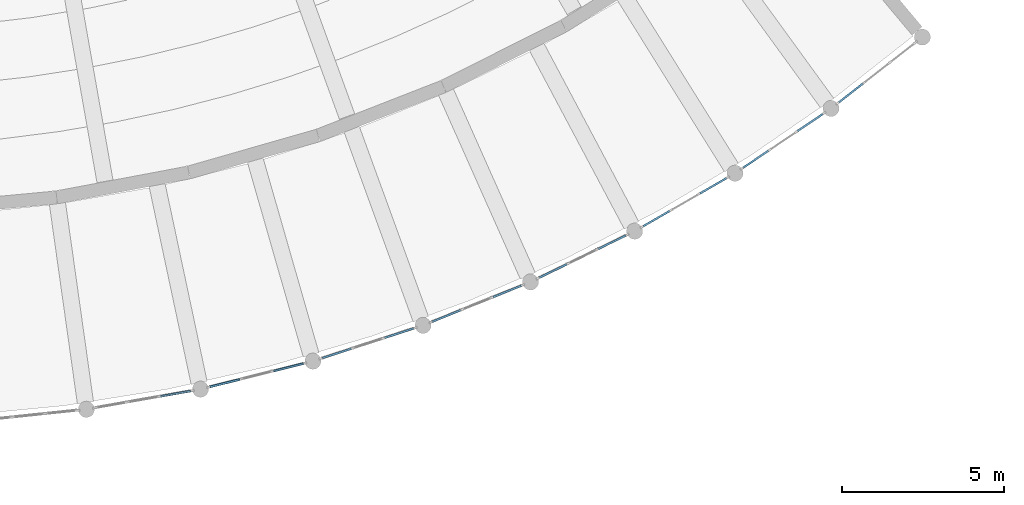
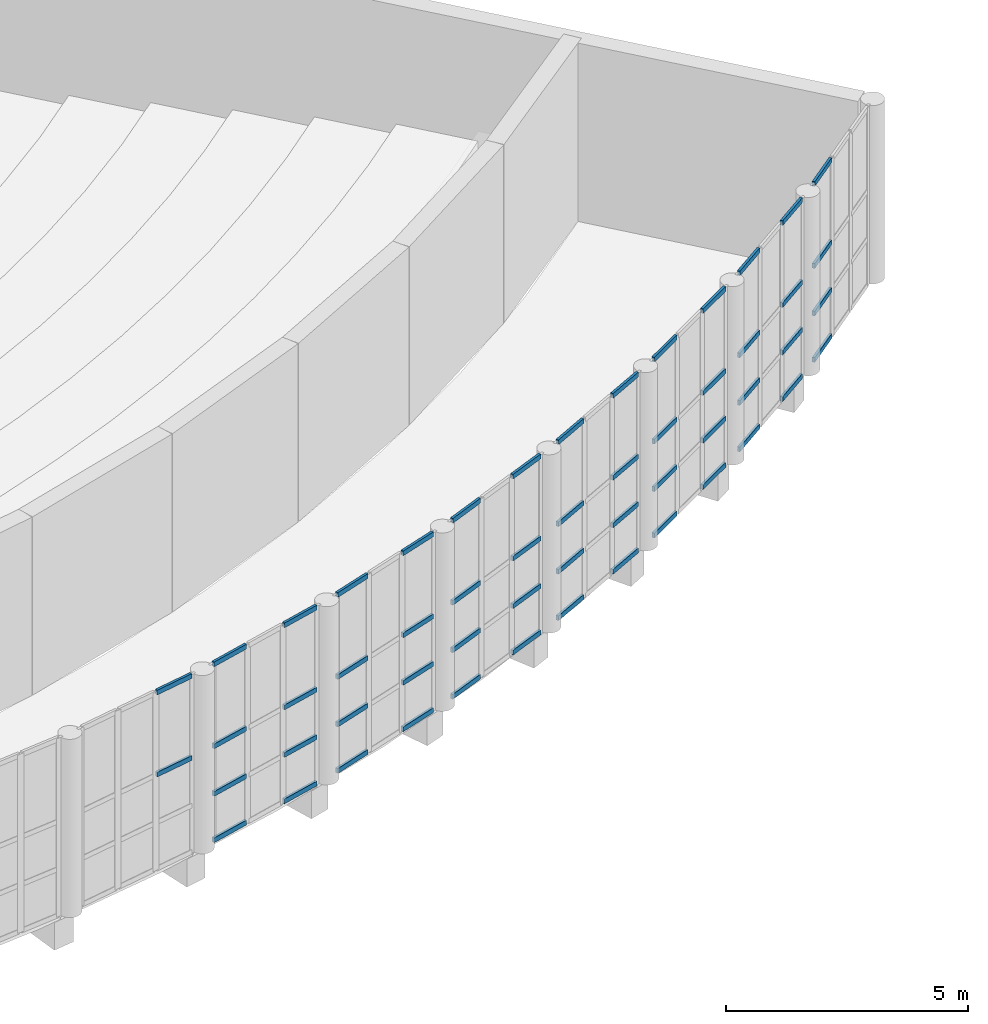
# One storey, part 60 of 162: 54 members, 8 elements without a shape of their own.
"""IFC4 building model written with IfcOpenShell, lengths in metres."""

from ifc_helpers import new_model, si_unit, direction, frame, origin, origin_2d, place, context, subcontext, project, spatial, rectangle, extrude, material, layer, layer_set, material_profile, profile_set, type_object, element, aggregate, save


model = new_model("IFC4")

# Units and contexts
model_context = context("Model", 3, precision=1e-05, world=origin(), true_north=direction((0.0, 1.0)))
body_context = subcontext(model_context, "Body", "Model", "MODEL_VIEW")
ifc_project = project(units=[si_unit("LENGTHUNIT", "METRE"), si_unit("AREAUNIT", "SQUARE_METRE"), si_unit("VOLUMEUNIT", "CUBIC_METRE"), si_unit("PLANEANGLEUNIT", "RADIAN"), si_unit("MASSUNIT", "GRAM", prefix="KILO")], contexts=[model_context])

# Site, building, storey
site_placement = place(None, origin())
site = spatial("IfcSite", under=ifc_project, at=site_placement, CompositionType="ELEMENT")
building_placement = place(site_placement, origin())
building = spatial("IfcBuilding", under=site, at=building_placement, Name="Rain Tree Exposition and Congress Centre", CompositionType="ELEMENT")
storey_placement = place(building_placement, frame((0.0, 0.0, 6.0)))
storey = spatial("IfcBuildingStorey", under=building, at=storey_placement, Name="L01", CompositionType="ELEMENT", Elevation=6.0)

# Curtain wall, members
ifc_material_1 = material(Name="Aluminium", Category="aluminium")
ifc_layer = layer(ifc_material_1, 0.10009765625)
ifc_layer_set = layer_set([ifc_layer], Name="Aluminium")
curtain_wall_type = type_object("IfcCurtainWallType", Name="Curtain wall congress", PredefinedType="NOTDEFINED", material=ifc_layer_set)
curtain_wall_1_placement = place(storey_placement, origin())
curtain_wall_1 = element("IfcCurtainWall", 1, at=curtain_wall_1_placement, inside=storey, type_object=curtain_wall_type, Name="Curtain wall L01 bay 13", PredefinedType="NOTDEFINED")
ifc_material_2 = material(Name="Aluminium", Category="aluminium")
ifc_material_profile = material_profile(ifc_material_2, rectangle(XDim=0.06005859375, YDim=0.1201171875, at=origin_2d()), Name="AL 60x120")
ifc_profile_set = profile_set([ifc_material_profile], Name="Aluminium")
member_type = type_object("IfcMemberType", Name="Curtain wall transom 60x120 congress", PredefinedType="USERDEFINED", material=ifc_profile_set)
member_1_placement = place(storey_placement, frame((211.01953125, 16.902587890625, 2.39990234375), z_axis=(0.984788819169, 0.173755522618, 0.0), x_axis=(-0.173755522618, 0.984788819169, 0.0)))
member_1 = element("IfcMember", 2, at=member_1_placement, type_object=member_type, Name="CWG213 transom 3.3", ObjectType="TRANSOM", PredefinedType="USERDEFINED", context=body_context, shape_type="SweptSolid", body=[
    extrude(rectangle(XDim=0.06005859375, YDim=0.1201171875, at=origin_2d()), origin(), (0.0, 0.0, 1.0), 0.934326171875),
])
member_2_placement = place(storey_placement, frame((211.01953125, 16.902587890625, 4.469970703125), z_axis=(0.984788819169, 0.173755522618, 0.0), x_axis=(-0.173755522618, 0.984788819169, 0.0)))
member_2 = element("IfcMember", 3, at=member_2_placement, type_object=member_type, Name="CWG213 transom 3.4", ObjectType="TRANSOM", PredefinedType="USERDEFINED", context=body_context, shape_type="SweptSolid", body=[
    extrude(rectangle(XDim=0.06005859375, YDim=0.1201171875, at=origin_2d()), origin(), (0.0, 0.0, 1.0), 0.934326171875),
])
aggregate(curtain_wall_1, [member_1, member_2])

curtain_wall_2_placement = place(storey_placement, origin())
curtain_wall_2 = element("IfcCurtainWall", 4, at=curtain_wall_2_placement, inside=storey, type_object=curtain_wall_type, Name="Curtain wall L01 bay 14", PredefinedType="NOTDEFINED")
member_3_placement = place(storey_placement, frame((212.5458984375, 17.19384765625, 0.030029296875), z_axis=(0.970295984, 0.241920861923, 0.0), x_axis=(-0.241920861923, 0.970295984, 0.0)))
member_3 = element("IfcMember", 5, at=member_3_placement, type_object=member_type, Name="CWG214 transom 1.1", ObjectType="TRANSOM", PredefinedType="USERDEFINED", context=body_context, shape_type="SweptSolid", body=[
    extrude(rectangle(XDim=0.06005859375, YDim=0.1201171875, at=origin_2d()), origin(), (0.0, 0.0, 1.0), 0.9345703125),
])
member_4_placement = place(storey_placement, frame((212.5458984375, 17.19384765625, 1.199951171875), z_axis=(0.970295984, 0.241920861923, 0.0), x_axis=(-0.241920861923, 0.970295984, 0.0)))
member_4 = element("IfcMember", 6, at=member_4_placement, type_object=member_type, Name="CWG214 transom 1.2", ObjectType="TRANSOM", PredefinedType="USERDEFINED", context=body_context, shape_type="SweptSolid", body=[
    extrude(rectangle(XDim=0.06005859375, YDim=0.1201171875, at=origin_2d()), origin(), (0.0, 0.0, 1.0), 0.9345703125),
])
member_5_placement = place(storey_placement, frame((212.5458984375, 17.19384765625, 2.39990234375), z_axis=(0.970295984, 0.241920861923, 0.0), x_axis=(-0.241920861923, 0.970295984, 0.0)))
member_5 = element("IfcMember", 7, at=member_5_placement, type_object=member_type, Name="CWG214 transom 1.3", ObjectType="TRANSOM", PredefinedType="USERDEFINED", context=body_context, shape_type="SweptSolid", body=[
    extrude(rectangle(XDim=0.06005859375, YDim=0.1201171875, at=origin_2d()), origin(), (0.0, 0.0, 1.0), 0.9345703125),
])
member_6_placement = place(storey_placement, frame((212.5458984375, 17.19384765625, 4.469970703125), z_axis=(0.970295984, 0.241920861923, 0.0), x_axis=(-0.241920861923, 0.970295984, 0.0)))
member_6 = element("IfcMember", 8, at=member_6_placement, type_object=member_type, Name="CWG214 transom 1.4", ObjectType="TRANSOM", PredefinedType="USERDEFINED", context=body_context, shape_type="SweptSolid", body=[
    extrude(rectangle(XDim=0.06005859375, YDim=0.1201171875, at=origin_2d()), origin(), (0.0, 0.0, 1.0), 0.9345703125),
])
member_7_placement = place(storey_placement, frame((214.505126953125, 17.682373046875, 0.030029296875), z_axis=(0.970295984, 0.241920861923, 0.0), x_axis=(-0.241920861923, 0.970295984, 0.0)))
member_7 = element("IfcMember", 9, at=member_7_placement, type_object=member_type, Name="CWG214 transom 3.1", ObjectType="TRANSOM", PredefinedType="USERDEFINED", context=body_context, shape_type="SweptSolid", body=[
    extrude(rectangle(XDim=0.06005859375, YDim=0.1201171875, at=origin_2d()), origin(), (0.0, 0.0, 1.0), 0.9345703125),
])
member_8_placement = place(storey_placement, frame((214.505126953125, 17.682373046875, 1.199951171875), z_axis=(0.970295984, 0.241920861923, 0.0), x_axis=(-0.241920861923, 0.970295984, 0.0)))
member_8 = element("IfcMember", 10, at=member_8_placement, type_object=member_type, Name="CWG214 transom 3.2", ObjectType="TRANSOM", PredefinedType="USERDEFINED", context=body_context, shape_type="SweptSolid", body=[
    extrude(rectangle(XDim=0.06005859375, YDim=0.1201171875, at=origin_2d()), origin(), (0.0, 0.0, 1.0), 0.9345703125),
])
member_9_placement = place(storey_placement, frame((214.505126953125, 17.682373046875, 2.39990234375), z_axis=(0.970295984, 0.241920861923, 0.0), x_axis=(-0.241920861923, 0.970295984, 0.0)))
member_9 = element("IfcMember", 11, at=member_9_placement, type_object=member_type, Name="CWG214 transom 3.3", ObjectType="TRANSOM", PredefinedType="USERDEFINED", context=body_context, shape_type="SweptSolid", body=[
    extrude(rectangle(XDim=0.06005859375, YDim=0.1201171875, at=origin_2d()), origin(), (0.0, 0.0, 1.0), 0.9345703125),
])
member_10_placement = place(storey_placement, frame((214.505126953125, 17.682373046875, 4.469970703125), z_axis=(0.970295984, 0.241920861923, 0.0), x_axis=(-0.241920861923, 0.970295984, 0.0)))
member_10 = element("IfcMember", 12, at=member_10_placement, type_object=member_type, Name="CWG214 transom 3.4", ObjectType="TRANSOM", PredefinedType="USERDEFINED", context=body_context, shape_type="SweptSolid", body=[
    extrude(rectangle(XDim=0.06005859375, YDim=0.1201171875, at=origin_2d()), origin(), (0.0, 0.0, 1.0), 0.9345703125),
])
aggregate(curtain_wall_2, [member_3, member_4, member_5, member_6, member_7, member_8, member_9, member_10])

curtain_wall_3_placement = place(storey_placement, origin())
curtain_wall_3 = element("IfcCurtainWall", 13, at=curtain_wall_3_placement, inside=storey, type_object=curtain_wall_type, Name="Curtain wall L01 bay 15", PredefinedType="NOTDEFINED")
member_11_placement = place(storey_placement, frame((216.007568359375, 18.079345703125, 0.030029296875), z_axis=(0.951110847155, 0.308849731137, 0.0), x_axis=(-0.308849731137, 0.951110847155, 0.0)))
member_11 = element("IfcMember", 14, at=member_11_placement, type_object=member_type, Name="CWG215 transom 1.1", ObjectType="TRANSOM", PredefinedType="USERDEFINED", context=body_context, shape_type="SweptSolid", body=[
    extrude(rectangle(XDim=0.06005859375, YDim=0.1201171875, at=origin_2d()), origin(), (0.0, 0.0, 1.0), 0.934326171875),
])
member_12_placement = place(storey_placement, frame((216.007568359375, 18.079345703125, 1.199951171875), z_axis=(0.951110847155, 0.308849731137, 0.0), x_axis=(-0.308849731137, 0.951110847155, 0.0)))
member_12 = element("IfcMember", 15, at=member_12_placement, type_object=member_type, Name="CWG215 transom 1.2", ObjectType="TRANSOM", PredefinedType="USERDEFINED", context=body_context, shape_type="SweptSolid", body=[
    extrude(rectangle(XDim=0.06005859375, YDim=0.1201171875, at=origin_2d()), origin(), (0.0, 0.0, 1.0), 0.934326171875),
])
member_13_placement = place(storey_placement, frame((216.007568359375, 18.079345703125, 2.39990234375), z_axis=(0.951110847155, 0.308849731137, 0.0), x_axis=(-0.308849731137, 0.951110847155, 0.0)))
member_13 = element("IfcMember", 16, at=member_13_placement, type_object=member_type, Name="CWG215 transom 1.3", ObjectType="TRANSOM", PredefinedType="USERDEFINED", context=body_context, shape_type="SweptSolid", body=[
    extrude(rectangle(XDim=0.06005859375, YDim=0.1201171875, at=origin_2d()), origin(), (0.0, 0.0, 1.0), 0.934326171875),
])
member_14_placement = place(storey_placement, frame((216.007568359375, 18.079345703125, 4.469970703125), z_axis=(0.951110847155, 0.308849731137, 0.0), x_axis=(-0.308849731137, 0.951110847155, 0.0)))
member_14 = element("IfcMember", 17, at=member_14_placement, type_object=member_type, Name="CWG215 transom 1.4", ObjectType="TRANSOM", PredefinedType="USERDEFINED", context=body_context, shape_type="SweptSolid", body=[
    extrude(rectangle(XDim=0.06005859375, YDim=0.1201171875, at=origin_2d()), origin(), (0.0, 0.0, 1.0), 0.934326171875),
])
member_15_placement = place(storey_placement, frame((217.927734375, 18.703125, 0.030029296875), z_axis=(0.951059019947, 0.309009288821, 0.0), x_axis=(-0.309009288821, 0.951059019947, 0.0)))
member_15 = element("IfcMember", 18, at=member_15_placement, type_object=member_type, Name="CWG215 transom 3.1", ObjectType="TRANSOM", PredefinedType="USERDEFINED", context=body_context, shape_type="SweptSolid", body=[
    extrude(rectangle(XDim=0.06005859375, YDim=0.1201171875, at=origin_2d()), origin(), (0.0, 0.0, 1.0), 0.9345703125),
])
member_16_placement = place(storey_placement, frame((217.927734375, 18.703125, 1.199951171875), z_axis=(0.951059019947, 0.309009288821, 0.0), x_axis=(-0.309009288821, 0.951059019947, 0.0)))
member_16 = element("IfcMember", 19, at=member_16_placement, type_object=member_type, Name="CWG215 transom 3.2", ObjectType="TRANSOM", PredefinedType="USERDEFINED", context=body_context, shape_type="SweptSolid", body=[
    extrude(rectangle(XDim=0.06005859375, YDim=0.1201171875, at=origin_2d()), origin(), (0.0, 0.0, 1.0), 0.9345703125),
])
member_17_placement = place(storey_placement, frame((217.927734375, 18.703125, 2.39990234375), z_axis=(0.951059019947, 0.309009288821, 0.0), x_axis=(-0.309009288821, 0.951059019947, 0.0)))
member_17 = element("IfcMember", 20, at=member_17_placement, type_object=member_type, Name="CWG215 transom 3.3", ObjectType="TRANSOM", PredefinedType="USERDEFINED", context=body_context, shape_type="SweptSolid", body=[
    extrude(rectangle(XDim=0.06005859375, YDim=0.1201171875, at=origin_2d()), origin(), (0.0, 0.0, 1.0), 0.9345703125),
])
member_18_placement = place(storey_placement, frame((217.927734375, 18.703125, 4.469970703125), z_axis=(0.951059019947, 0.309009288821, 0.0), x_axis=(-0.309009288821, 0.951059019947, 0.0)))
member_18 = element("IfcMember", 21, at=member_18_placement, type_object=member_type, Name="CWG215 transom 3.4", ObjectType="TRANSOM", PredefinedType="USERDEFINED", context=body_context, shape_type="SweptSolid", body=[
    extrude(rectangle(XDim=0.06005859375, YDim=0.1201171875, at=origin_2d()), origin(), (0.0, 0.0, 1.0), 0.9345703125),
])
aggregate(curtain_wall_3, [member_11, member_12, member_13, member_14, member_15, member_16, member_17, member_18])

curtain_wall_4_placement = place(storey_placement, origin())
curtain_wall_4 = element("IfcCurtainWall", 22, at=curtain_wall_4_placement, inside=storey, type_object=curtain_wall_type, Name="Curtain wall L01 bay 16", PredefinedType="NOTDEFINED")
member_19_placement = place(storey_placement, frame((219.39892578125, 19.203857421875, 0.030029296875), z_axis=(0.927173788996, 0.374631505613, 0.0), x_axis=(-0.374631505613, 0.927173788996, 0.0)))
member_19 = element("IfcMember", 23, at=member_19_placement, type_object=member_type, Name="CWG216 transom 1.1", ObjectType="TRANSOM", PredefinedType="USERDEFINED", context=body_context, shape_type="SweptSolid", body=[
    extrude(rectangle(XDim=0.06005859375, YDim=0.1201171875, at=origin_2d()), origin(), (0.0, 0.0, 1.0), 0.9345703125),
])
member_20_placement = place(storey_placement, frame((219.39892578125, 19.203857421875, 1.199951171875), z_axis=(0.927173788996, 0.374631505613, 0.0), x_axis=(-0.374631505613, 0.927173788996, 0.0)))
member_20 = element("IfcMember", 24, at=member_20_placement, type_object=member_type, Name="CWG216 transom 1.2", ObjectType="TRANSOM", PredefinedType="USERDEFINED", context=body_context, shape_type="SweptSolid", body=[
    extrude(rectangle(XDim=0.06005859375, YDim=0.1201171875, at=origin_2d()), origin(), (0.0, 0.0, 1.0), 0.9345703125),
])
member_21_placement = place(storey_placement, frame((219.39892578125, 19.203857421875, 2.39990234375), z_axis=(0.927173788996, 0.374631505613, 0.0), x_axis=(-0.374631505613, 0.927173788996, 0.0)))
member_21 = element("IfcMember", 25, at=member_21_placement, type_object=member_type, Name="CWG216 transom 1.3", ObjectType="TRANSOM", PredefinedType="USERDEFINED", context=body_context, shape_type="SweptSolid", body=[
    extrude(rectangle(XDim=0.06005859375, YDim=0.1201171875, at=origin_2d()), origin(), (0.0, 0.0, 1.0), 0.9345703125),
])
member_22_placement = place(storey_placement, frame((219.39892578125, 19.203857421875, 4.469970703125), z_axis=(0.927173788996, 0.374631505613, 0.0), x_axis=(-0.374631505613, 0.927173788996, 0.0)))
member_22 = element("IfcMember", 26, at=member_22_placement, type_object=member_type, Name="CWG216 transom 1.4", ObjectType="TRANSOM", PredefinedType="USERDEFINED", context=body_context, shape_type="SweptSolid", body=[
    extrude(rectangle(XDim=0.06005859375, YDim=0.1201171875, at=origin_2d()), origin(), (0.0, 0.0, 1.0), 0.9345703125),
])
member_23_placement = place(storey_placement, frame((221.27099609375, 19.960205078125, 0.030029296875), z_axis=(0.927173788996, 0.374631505613, 0.0), x_axis=(-0.374631505613, 0.927173788996, 0.0)))
member_23 = element("IfcMember", 27, at=member_23_placement, type_object=member_type, Name="CWG216 transom 3.1", ObjectType="TRANSOM", PredefinedType="USERDEFINED", context=body_context, shape_type="SweptSolid", body=[
    extrude(rectangle(XDim=0.06005859375, YDim=0.1201171875, at=origin_2d()), origin(), (0.0, 0.0, 1.0), 0.9345703125),
])
member_24_placement = place(storey_placement, frame((221.27099609375, 19.960205078125, 1.199951171875), z_axis=(0.927173788996, 0.374631505613, 0.0), x_axis=(-0.374631505613, 0.927173788996, 0.0)))
member_24 = element("IfcMember", 28, at=member_24_placement, type_object=member_type, Name="CWG216 transom 3.2", ObjectType="TRANSOM", PredefinedType="USERDEFINED", context=body_context, shape_type="SweptSolid", body=[
    extrude(rectangle(XDim=0.06005859375, YDim=0.1201171875, at=origin_2d()), origin(), (0.0, 0.0, 1.0), 0.9345703125),
])
member_25_placement = place(storey_placement, frame((221.27099609375, 19.960205078125, 2.39990234375), z_axis=(0.927173788996, 0.374631505613, 0.0), x_axis=(-0.374631505613, 0.927173788996, 0.0)))
member_25 = element("IfcMember", 29, at=member_25_placement, type_object=member_type, Name="CWG216 transom 3.3", ObjectType="TRANSOM", PredefinedType="USERDEFINED", context=body_context, shape_type="SweptSolid", body=[
    extrude(rectangle(XDim=0.06005859375, YDim=0.1201171875, at=origin_2d()), origin(), (0.0, 0.0, 1.0), 0.9345703125),
])
member_26_placement = place(storey_placement, frame((221.27099609375, 19.960205078125, 4.469970703125), z_axis=(0.927173788996, 0.374631505613, 0.0), x_axis=(-0.374631505613, 0.927173788996, 0.0)))
member_26 = element("IfcMember", 30, at=member_26_placement, type_object=member_type, Name="CWG216 transom 3.4", ObjectType="TRANSOM", PredefinedType="USERDEFINED", context=body_context, shape_type="SweptSolid", body=[
    extrude(rectangle(XDim=0.06005859375, YDim=0.1201171875, at=origin_2d()), origin(), (0.0, 0.0, 1.0), 0.9345703125),
])
aggregate(curtain_wall_4, [member_19, member_20, member_21, member_22, member_23, member_24, member_25, member_26])

curtain_wall_5_placement = place(storey_placement, origin())
curtain_wall_5 = element("IfcCurtainWall", 31, at=curtain_wall_5_placement, inside=storey, type_object=curtain_wall_type, Name="Curtain wall L01 bay 17", PredefinedType="NOTDEFINED")
member_27_placement = place(storey_placement, frame((222.70361328125, 20.5625, 0.030029296875), z_axis=(0.89877346762, 0.438413336821, 0.0), x_axis=(-0.438413336821, 0.89877346762, 0.0)))
member_27 = element("IfcMember", 32, at=member_27_placement, type_object=member_type, Name="CWG217 transom 1.1", ObjectType="TRANSOM", PredefinedType="USERDEFINED", context=body_context, shape_type="SweptSolid", body=[
    extrude(rectangle(XDim=0.06005859375, YDim=0.1201171875, at=origin_2d()), origin(), (0.0, 0.0, 1.0), 0.934326171875),
])
member_28_placement = place(storey_placement, frame((222.70361328125, 20.5625, 1.199951171875), z_axis=(0.89877346762, 0.438413336821, 0.0), x_axis=(-0.438413336821, 0.89877346762, 0.0)))
member_28 = element("IfcMember", 33, at=member_28_placement, type_object=member_type, Name="CWG217 transom 1.2", ObjectType="TRANSOM", PredefinedType="USERDEFINED", context=body_context, shape_type="SweptSolid", body=[
    extrude(rectangle(XDim=0.06005859375, YDim=0.1201171875, at=origin_2d()), origin(), (0.0, 0.0, 1.0), 0.934326171875),
])
member_29_placement = place(storey_placement, frame((222.70361328125, 20.5625, 2.39990234375), z_axis=(0.89877346762, 0.438413336821, 0.0), x_axis=(-0.438413336821, 0.89877346762, 0.0)))
member_29 = element("IfcMember", 34, at=member_29_placement, type_object=member_type, Name="CWG217 transom 1.3", ObjectType="TRANSOM", PredefinedType="USERDEFINED", context=body_context, shape_type="SweptSolid", body=[
    extrude(rectangle(XDim=0.06005859375, YDim=0.1201171875, at=origin_2d()), origin(), (0.0, 0.0, 1.0), 0.934326171875),
])
member_30_placement = place(storey_placement, frame((222.70361328125, 20.5625, 4.469970703125), z_axis=(0.89877346762, 0.438413336821, 0.0), x_axis=(-0.438413336821, 0.89877346762, 0.0)))
member_30 = element("IfcMember", 35, at=member_30_placement, type_object=member_type, Name="CWG217 transom 1.4", ObjectType="TRANSOM", PredefinedType="USERDEFINED", context=body_context, shape_type="SweptSolid", body=[
    extrude(rectangle(XDim=0.06005859375, YDim=0.1201171875, at=origin_2d()), origin(), (0.0, 0.0, 1.0), 0.934326171875),
])
member_31_placement = place(storey_placement, frame((224.518310546875, 21.447509765625, 0.030029296875), z_axis=(0.89877346762, 0.438413336821, 0.0), x_axis=(-0.438413336821, 0.89877346762, 0.0)))
member_31 = element("IfcMember", 36, at=member_31_placement, type_object=member_type, Name="CWG217 transom 3.1", ObjectType="TRANSOM", PredefinedType="USERDEFINED", context=body_context, shape_type="SweptSolid", body=[
    extrude(rectangle(XDim=0.06005859375, YDim=0.1201171875, at=origin_2d()), origin(), (0.0, 0.0, 1.0), 0.934326171875),
])
member_32_placement = place(storey_placement, frame((224.518310546875, 21.447509765625, 1.199951171875), z_axis=(0.89877346762, 0.438413336821, 0.0), x_axis=(-0.438413336821, 0.89877346762, 0.0)))
member_32 = element("IfcMember", 37, at=member_32_placement, type_object=member_type, Name="CWG217 transom 3.2", ObjectType="TRANSOM", PredefinedType="USERDEFINED", context=body_context, shape_type="SweptSolid", body=[
    extrude(rectangle(XDim=0.06005859375, YDim=0.1201171875, at=origin_2d()), origin(), (0.0, 0.0, 1.0), 0.934326171875),
])
member_33_placement = place(storey_placement, frame((224.518310546875, 21.447509765625, 2.39990234375), z_axis=(0.89877346762, 0.438413336821, 0.0), x_axis=(-0.438413336821, 0.89877346762, 0.0)))
member_33 = element("IfcMember", 38, at=member_33_placement, type_object=member_type, Name="CWG217 transom 3.3", ObjectType="TRANSOM", PredefinedType="USERDEFINED", context=body_context, shape_type="SweptSolid", body=[
    extrude(rectangle(XDim=0.06005859375, YDim=0.1201171875, at=origin_2d()), origin(), (0.0, 0.0, 1.0), 0.934326171875),
])
member_34_placement = place(storey_placement, frame((224.518310546875, 21.447509765625, 4.469970703125), z_axis=(0.89877346762, 0.438413336821, 0.0), x_axis=(-0.438413336821, 0.89877346762, 0.0)))
member_34 = element("IfcMember", 39, at=member_34_placement, type_object=member_type, Name="CWG217 transom 3.4", ObjectType="TRANSOM", PredefinedType="USERDEFINED", context=body_context, shape_type="SweptSolid", body=[
    extrude(rectangle(XDim=0.06005859375, YDim=0.1201171875, at=origin_2d()), origin(), (0.0, 0.0, 1.0), 0.934326171875),
])
aggregate(curtain_wall_5, [member_27, member_28, member_29, member_30, member_31, member_32, member_33, member_34])

curtain_wall_6_placement = place(storey_placement, origin())
curtain_wall_6 = element("IfcCurtainWall", 40, at=curtain_wall_6_placement, inside=storey, type_object=curtain_wall_type, Name="Curtain wall L01 bay 18", PredefinedType="NOTDEFINED")
member_35_placement = place(storey_placement, frame((225.905517578125, 22.148193359375, 0.030029296875), z_axis=(0.866015917575, 0.500016430238, 0.0), x_axis=(-0.500016430238, 0.866015917575, 0.0)))
member_35 = element("IfcMember", 41, at=member_35_placement, type_object=member_type, Name="CWG218 transom 1.1", ObjectType="TRANSOM", PredefinedType="USERDEFINED", context=body_context, shape_type="SweptSolid", body=[
    extrude(rectangle(XDim=0.06005859375, YDim=0.1201171875, at=origin_2d()), origin(), (0.0, 0.0, 1.0), 0.9345703125),
])
member_36_placement = place(storey_placement, frame((225.905517578125, 22.148193359375, 1.199951171875), z_axis=(0.866015917575, 0.500016430238, 0.0), x_axis=(-0.500016430238, 0.866015917575, 0.0)))
member_36 = element("IfcMember", 42, at=member_36_placement, type_object=member_type, Name="CWG218 transom 1.2", ObjectType="TRANSOM", PredefinedType="USERDEFINED", context=body_context, shape_type="SweptSolid", body=[
    extrude(rectangle(XDim=0.06005859375, YDim=0.1201171875, at=origin_2d()), origin(), (0.0, 0.0, 1.0), 0.9345703125),
])
member_37_placement = place(storey_placement, frame((225.905517578125, 22.148193359375, 2.39990234375), z_axis=(0.866015917575, 0.500016430238, 0.0), x_axis=(-0.500016430238, 0.866015917575, 0.0)))
member_37 = element("IfcMember", 43, at=member_37_placement, type_object=member_type, Name="CWG218 transom 1.3", ObjectType="TRANSOM", PredefinedType="USERDEFINED", context=body_context, shape_type="SweptSolid", body=[
    extrude(rectangle(XDim=0.06005859375, YDim=0.1201171875, at=origin_2d()), origin(), (0.0, 0.0, 1.0), 0.9345703125),
])
member_38_placement = place(storey_placement, frame((225.905517578125, 22.148193359375, 4.469970703125), z_axis=(0.866015917575, 0.500016430238, 0.0), x_axis=(-0.500016430238, 0.866015917575, 0.0)))
member_38 = element("IfcMember", 44, at=member_38_placement, type_object=member_type, Name="CWG218 transom 1.4", ObjectType="TRANSOM", PredefinedType="USERDEFINED", context=body_context, shape_type="SweptSolid", body=[
    extrude(rectangle(XDim=0.06005859375, YDim=0.1201171875, at=origin_2d()), origin(), (0.0, 0.0, 1.0), 0.9345703125),
])
member_39_placement = place(storey_placement, frame((227.654052734375, 23.15771484375, 0.030029296875), z_axis=(0.866015917575, 0.500016430238, 0.0), x_axis=(-0.500016430238, 0.866015917575, 0.0)))
member_39 = element("IfcMember", 45, at=member_39_placement, type_object=member_type, Name="CWG218 transom 3.1", ObjectType="TRANSOM", PredefinedType="USERDEFINED", context=body_context, shape_type="SweptSolid", body=[
    extrude(rectangle(XDim=0.06005859375, YDim=0.1201171875, at=origin_2d()), origin(), (0.0, 0.0, 1.0), 0.9345703125),
])
member_40_placement = place(storey_placement, frame((227.654052734375, 23.15771484375, 1.199951171875), z_axis=(0.866015917575, 0.500016430238, 0.0), x_axis=(-0.500016430238, 0.866015917575, 0.0)))
member_40 = element("IfcMember", 46, at=member_40_placement, type_object=member_type, Name="CWG218 transom 3.2", ObjectType="TRANSOM", PredefinedType="USERDEFINED", context=body_context, shape_type="SweptSolid", body=[
    extrude(rectangle(XDim=0.06005859375, YDim=0.1201171875, at=origin_2d()), origin(), (0.0, 0.0, 1.0), 0.9345703125),
])
member_41_placement = place(storey_placement, frame((227.654052734375, 23.15771484375, 2.39990234375), z_axis=(0.866015917575, 0.500016430238, 0.0), x_axis=(-0.500016430238, 0.866015917575, 0.0)))
member_41 = element("IfcMember", 47, at=member_41_placement, type_object=member_type, Name="CWG218 transom 3.3", ObjectType="TRANSOM", PredefinedType="USERDEFINED", context=body_context, shape_type="SweptSolid", body=[
    extrude(rectangle(XDim=0.06005859375, YDim=0.1201171875, at=origin_2d()), origin(), (0.0, 0.0, 1.0), 0.9345703125),
])
member_42_placement = place(storey_placement, frame((227.654052734375, 23.15771484375, 4.469970703125), z_axis=(0.866015917575, 0.500016430238, 0.0), x_axis=(-0.500016430238, 0.866015917575, 0.0)))
member_42 = element("IfcMember", 48, at=member_42_placement, type_object=member_type, Name="CWG218 transom 3.4", ObjectType="TRANSOM", PredefinedType="USERDEFINED", context=body_context, shape_type="SweptSolid", body=[
    extrude(rectangle(XDim=0.06005859375, YDim=0.1201171875, at=origin_2d()), origin(), (0.0, 0.0, 1.0), 0.9345703125),
])
aggregate(curtain_wall_6, [member_35, member_36, member_37, member_38, member_39, member_40, member_41, member_42])

curtain_wall_7_placement = place(storey_placement, origin())
curtain_wall_7 = element("IfcCurtainWall", 49, at=curtain_wall_7_placement, inside=storey, type_object=curtain_wall_type, Name="Curtain wall L01 bay 19", PredefinedType="NOTDEFINED")
member_43_placement = place(storey_placement, frame((228.98876953125, 23.953369140625, 0.030029296875), z_axis=(0.829145343923, 0.559033092626, 0.0), x_axis=(-0.559033092626, 0.829145343923, 0.0)))
member_43 = element("IfcMember", 50, at=member_43_placement, type_object=member_type, Name="CWG219 transom 1.1", ObjectType="TRANSOM", PredefinedType="USERDEFINED", context=body_context, shape_type="SweptSolid", body=[
    extrude(rectangle(XDim=0.06005859375, YDim=0.1201171875, at=origin_2d()), origin(), (0.0, 0.0, 1.0), 0.9345703125),
])
member_44_placement = place(storey_placement, frame((228.98876953125, 23.953369140625, 1.199951171875), z_axis=(0.829145343923, 0.559033092626, 0.0), x_axis=(-0.559033092626, 0.829145343923, 0.0)))
member_44 = element("IfcMember", 51, at=member_44_placement, type_object=member_type, Name="CWG219 transom 1.2", ObjectType="TRANSOM", PredefinedType="USERDEFINED", context=body_context, shape_type="SweptSolid", body=[
    extrude(rectangle(XDim=0.06005859375, YDim=0.1201171875, at=origin_2d()), origin(), (0.0, 0.0, 1.0), 0.9345703125),
])
member_45_placement = place(storey_placement, frame((228.98876953125, 23.953369140625, 2.39990234375), z_axis=(0.829145343923, 0.559033092626, 0.0), x_axis=(-0.559033092626, 0.829145343923, 0.0)))
member_45 = element("IfcMember", 52, at=member_45_placement, type_object=member_type, Name="CWG219 transom 1.3", ObjectType="TRANSOM", PredefinedType="USERDEFINED", context=body_context, shape_type="SweptSolid", body=[
    extrude(rectangle(XDim=0.06005859375, YDim=0.1201171875, at=origin_2d()), origin(), (0.0, 0.0, 1.0), 0.9345703125),
])
member_46_placement = place(storey_placement, frame((228.98876953125, 23.953369140625, 4.469970703125), z_axis=(0.829145343923, 0.559033092626, 0.0), x_axis=(-0.559033092626, 0.829145343923, 0.0)))
member_46 = element("IfcMember", 53, at=member_46_placement, type_object=member_type, Name="CWG219 transom 1.4", ObjectType="TRANSOM", PredefinedType="USERDEFINED", context=body_context, shape_type="SweptSolid", body=[
    extrude(rectangle(XDim=0.06005859375, YDim=0.1201171875, at=origin_2d()), origin(), (0.0, 0.0, 1.0), 0.9345703125),
])
member_47_placement = place(storey_placement, frame((230.662841796875, 25.082275390625, 0.030029296875), z_axis=(0.828942550457, 0.559333753712, 0.0), x_axis=(-0.559333753712, 0.828942550457, 0.0)))
member_47 = element("IfcMember", 54, at=member_47_placement, type_object=member_type, Name="CWG219 transom 3.1", ObjectType="TRANSOM", PredefinedType="USERDEFINED", context=body_context, shape_type="SweptSolid", body=[
    extrude(rectangle(XDim=0.06005859375, YDim=0.1201171875, at=origin_2d()), origin(), (0.0, 0.0, 1.0), 0.9345703125),
])
member_48_placement = place(storey_placement, frame((230.662841796875, 25.082275390625, 1.199951171875), z_axis=(0.828942550457, 0.559333753712, 0.0), x_axis=(-0.559333753712, 0.828942550457, 0.0)))
member_48 = element("IfcMember", 55, at=member_48_placement, type_object=member_type, Name="CWG219 transom 3.2", ObjectType="TRANSOM", PredefinedType="USERDEFINED", context=body_context, shape_type="SweptSolid", body=[
    extrude(rectangle(XDim=0.06005859375, YDim=0.1201171875, at=origin_2d()), origin(), (0.0, 0.0, 1.0), 0.9345703125),
])
member_49_placement = place(storey_placement, frame((230.662841796875, 25.082275390625, 2.39990234375), z_axis=(0.828942550457, 0.559333753712, 0.0), x_axis=(-0.559333753712, 0.828942550457, 0.0)))
member_49 = element("IfcMember", 56, at=member_49_placement, type_object=member_type, Name="CWG219 transom 3.3", ObjectType="TRANSOM", PredefinedType="USERDEFINED", context=body_context, shape_type="SweptSolid", body=[
    extrude(rectangle(XDim=0.06005859375, YDim=0.1201171875, at=origin_2d()), origin(), (0.0, 0.0, 1.0), 0.9345703125),
])
member_50_placement = place(storey_placement, frame((230.662841796875, 25.082275390625, 4.469970703125), z_axis=(0.828942550457, 0.559333753712, 0.0), x_axis=(-0.559333753712, 0.828942550457, 0.0)))
member_50 = element("IfcMember", 57, at=member_50_placement, type_object=member_type, Name="CWG219 transom 3.4", ObjectType="TRANSOM", PredefinedType="USERDEFINED", context=body_context, shape_type="SweptSolid", body=[
    extrude(rectangle(XDim=0.06005859375, YDim=0.1201171875, at=origin_2d()), origin(), (0.0, 0.0, 1.0), 0.9345703125),
])
aggregate(curtain_wall_7, [member_43, member_44, member_45, member_46, member_47, member_48, member_49, member_50])

curtain_wall_8_placement = place(storey_placement, origin())
curtain_wall_8 = element("IfcCurtainWall", 58, at=curtain_wall_8_placement, inside=storey, type_object=curtain_wall_type, Name="Curtain wall L01 bay 20", PredefinedType="NOTDEFINED")
member_51_placement = place(storey_placement, frame((231.93896484375, 25.96923828125, 0.030029296875), z_axis=(0.78805606362, 0.615603476754, 0.0), x_axis=(-0.615603476754, 0.78805606362, 0.0)))
member_51 = element("IfcMember", 59, at=member_51_placement, type_object=member_type, Name="CWG220 transom 1.1", ObjectType="TRANSOM", PredefinedType="USERDEFINED", context=body_context, shape_type="SweptSolid", body=[
    extrude(rectangle(XDim=0.06005859375, YDim=0.1201171875, at=origin_2d()), origin(), (0.0, 0.0, 1.0), 0.934326171875),
])
member_52_placement = place(storey_placement, frame((231.93896484375, 25.96923828125, 1.199951171875), z_axis=(0.78805606362, 0.615603476754, 0.0), x_axis=(-0.615603476754, 0.78805606362, 0.0)))
member_52 = element("IfcMember", 60, at=member_52_placement, type_object=member_type, Name="CWG220 transom 1.2", ObjectType="TRANSOM", PredefinedType="USERDEFINED", context=body_context, shape_type="SweptSolid", body=[
    extrude(rectangle(XDim=0.06005859375, YDim=0.1201171875, at=origin_2d()), origin(), (0.0, 0.0, 1.0), 0.934326171875),
])
member_53_placement = place(storey_placement, frame((231.93896484375, 25.96923828125, 2.39990234375), z_axis=(0.78805606362, 0.615603476754, 0.0), x_axis=(-0.615603476754, 0.78805606362, 0.0)))
member_53 = element("IfcMember", 61, at=member_53_placement, type_object=member_type, Name="CWG220 transom 1.3", ObjectType="TRANSOM", PredefinedType="USERDEFINED", context=body_context, shape_type="SweptSolid", body=[
    extrude(rectangle(XDim=0.06005859375, YDim=0.1201171875, at=origin_2d()), origin(), (0.0, 0.0, 1.0), 0.934326171875),
])
member_54_placement = place(storey_placement, frame((231.93896484375, 25.96923828125, 4.469970703125), z_axis=(0.78805606362, 0.615603476754, 0.0), x_axis=(-0.615603476754, 0.78805606362, 0.0)))
member_54 = element("IfcMember", 62, at=member_54_placement, type_object=member_type, Name="CWG220 transom 1.4", ObjectType="TRANSOM", PredefinedType="USERDEFINED", context=body_context, shape_type="SweptSolid", body=[
    extrude(rectangle(XDim=0.06005859375, YDim=0.1201171875, at=origin_2d()), origin(), (0.0, 0.0, 1.0), 0.934326171875),
])
aggregate(curtain_wall_8, [member_51, member_52, member_53, member_54])

save(model, "model.ifc")
